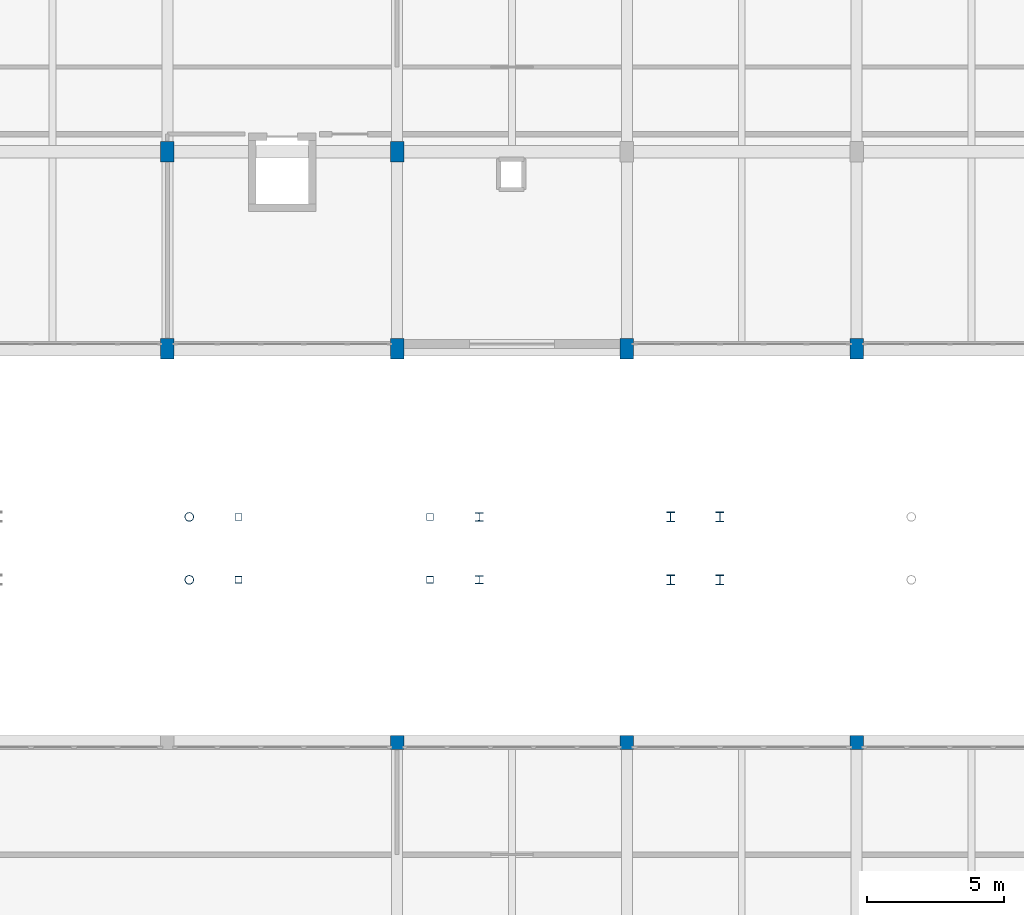
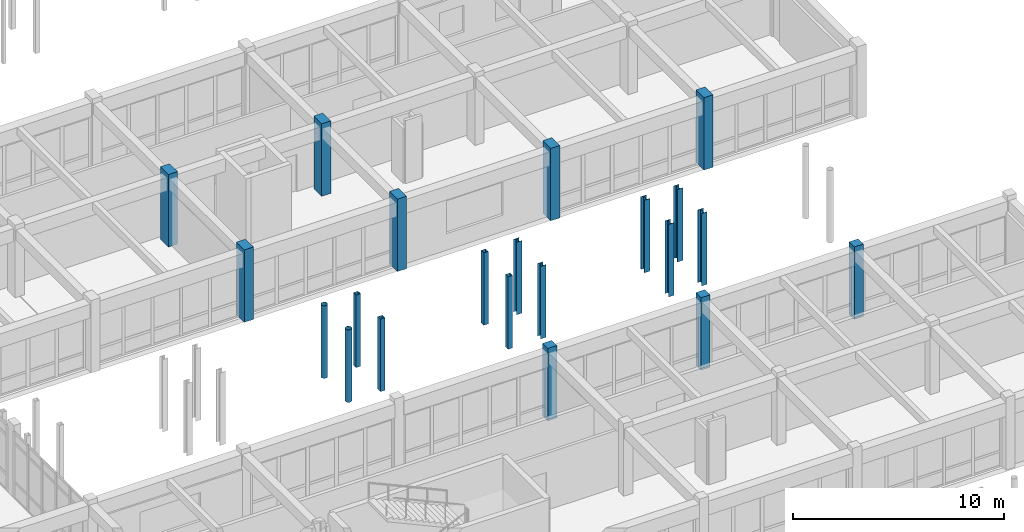
# One storey, part 21 of 147: 21 columns.
"""IFC4 building model written with IfcOpenShell, lengths in metres."""

from ifc_helpers import new_model, si_unit, direction, frame, origin, origin_2d, place, context, subcontext, project, spatial, rectangle, hollow_rectangle, hollow_circle, i_section, extrude, material, material_profile, profile_set, type_object, element, save


model = new_model("IFC4")

# Units and contexts
model_context = context("Model", 3, precision=1e-05, world=origin(), true_north=direction((0.0, 1.0)))
body_context = subcontext(model_context, "Body", "Model", "MODEL_VIEW")
ifc_project = project(units=[si_unit("LENGTHUNIT", "METRE"), si_unit("AREAUNIT", "SQUARE_METRE"), si_unit("VOLUMEUNIT", "CUBIC_METRE"), si_unit("PLANEANGLEUNIT", "RADIAN"), si_unit("MASSUNIT", "GRAM", prefix="KILO")], contexts=[model_context])

# Site, building, storey
site_placement = place(None, origin())
site = spatial("IfcSite", under=ifc_project, at=site_placement, CompositionType="ELEMENT")
building_placement = place(site_placement, origin())
building = spatial("IfcBuilding", under=site, at=building_placement, Name="Malvenik Polytechnic", CompositionType="ELEMENT")
storey_placement = place(building_placement, frame((0.0, 0.0, 5.10009765625)))
storey = spatial("IfcBuildingStorey", under=building, at=storey_placement, Name="L01", CompositionType="ELEMENT", Elevation=5.10009765625)

# Columns
ifc_material_1 = material(Name="Concrete C35/45", Category="concrete")
ifc_material_profile_1 = material_profile(ifc_material_1, rectangle(XDim=0.5, YDim=0.5, at=origin_2d()), Name="RC COL 500x500")
ifc_profile_set_1 = profile_set([ifc_material_profile_1], Name="Concrete C35/45")
column_type_1 = type_object("IfcColumnType", Name="STR-COL-C-08", PredefinedType="COLUMN", material=ifc_profile_set_1)
for number, where, z_axis, x_axis, name in (
    (1, (109.199951171875, 64.800048828125, 0.0), (0.0, 0.0, 1.0), (1.0, 0.0, 0.0), "Column C-08 L01 (109.2,64.8)"),
    (2, (117.60009765625, 64.800048828125, 0.0), (0.0, 0.0, 1.0), (1.0, 0.0, 0.0), "Column C-08 L01 (117.6,64.8)"),
    (3, (126.0, 64.800048828125, 0.0), (0.0, 0.0, 1.0), (1.0, 0.0, 0.0), "Column C-08 L01 (126.0,64.8)"),
):
    element("IfcColumn", number, at=place(storey_placement, frame(where, z_axis=z_axis, x_axis=x_axis)), inside=storey, type_object=column_type_1, Name=name, PredefinedType="COLUMN", context=body_context, shape_type="SweptSolid", body=[
        extrude(rectangle(XDim=0.5, YDim=0.5, at=origin_2d()), origin(), (0.0, 0.0, 1.0), 4.199951171875),
    ])
ifc_material_profile_2 = material_profile(ifc_material_1, rectangle(XDim=0.5, YDim=0.75, at=origin_2d()), Name="RC COL 750x500")
ifc_profile_set_2 = profile_set([ifc_material_profile_2], Name="Concrete C35/45")
column_type_2 = type_object("IfcColumnType", Name="STR-COL-C-14", PredefinedType="COLUMN", material=ifc_profile_set_2)
for number, where, z_axis, x_axis, name in (
    (4, (100.800048828125, 79.199951171875, 0.0), (0.0, 0.0, 1.0), (1.0, 0.0, 0.0), "Column C-14 L01 (100.8,79.2)"),
    (5, (100.800048828125, 86.39990234375, 0.0), (0.0, 0.0, 1.0), (1.0, 0.0, 0.0), "Column C-14 L01 (100.8,86.4)"),
    (6, (109.199951171875, 79.199951171875, 0.0), (0.0, 0.0, 1.0), (1.0, 0.0, 0.0), "Column C-14 L01 (109.2,79.2)"),
    (7, (109.199951171875, 86.39990234375, 0.0), (0.0, 0.0, 1.0), (1.0, 0.0, 0.0), "Column C-14 L01 (109.2,86.4)"),
    (8, (117.60009765625, 79.199951171875, 0.0), (0.0, 0.0, 1.0), (1.0, 0.0, 0.0), "Column C-14 L01 (117.6,79.2)"),
    (9, (126.0, 79.199951171875, 0.0), (0.0, 0.0, 1.0), (1.0, 0.0, 0.0), "Column C-14 L01 (126.0,79.2)"),
):
    element("IfcColumn", number, at=place(storey_placement, frame(where, z_axis=z_axis, x_axis=x_axis)), inside=storey, type_object=column_type_2, Name=name, PredefinedType="COLUMN", context=body_context, shape_type="SweptSolid", body=[
        extrude(rectangle(XDim=0.5, YDim=0.75, at=origin_2d()), origin(), (0.0, 0.0, 1.0), 4.199951171875),
    ])
ifc_material_2 = material(Name="Steel S355J2H", Category="steel")
ifc_material_profile_3 = material_profile(ifc_material_2, hollow_rectangle(XDim=0.25, YDim=0.25, WallThickness=0.010009765625, at=origin_2d()), Name="SHS 250x250x10.0")
ifc_profile_set_3 = profile_set([ifc_material_profile_3], Name="Steel S355J2H")
column_type_3 = type_object("IfcColumnType", Name="STR-SCOL-SC-01", PredefinedType="COLUMN", material=ifc_profile_set_3)
for number, where, z_axis, x_axis, name in (
    (10, (110.39990234375, 70.75, 0.0), (0.0, 0.0, 1.0), (1.0, 0.0, 0.0), "Bridge-Ramp Support Column SC-01 L01"),
    (11, (110.39990234375, 73.050048828125, 0.0), (0.0, 0.0, 1.0), (1.0, 0.0, 0.0), "Bridge-Ramp Support Column SC-01 L01"),
    (12, (103.39990234375, 70.75, 0.0), (0.0, 0.0, 1.0), (1.0, 0.0, 0.0), "Bridge-Ramp Support Column SC-01 L01"),
    (13, (103.39990234375, 73.050048828125, 0.0), (0.0, 0.0, 1.0), (1.0, 0.0, 0.0), "Bridge-Ramp Support Column SC-01 L01"),
):
    element("IfcColumn", number, at=place(storey_placement, frame(where, z_axis=z_axis, x_axis=x_axis)), inside=storey, type_object=column_type_3, Name=name, PredefinedType="COLUMN", context=body_context, shape_type="SweptSolid", body=[
        extrude(hollow_rectangle(XDim=0.25, YDim=0.25, WallThickness=0.010009765625, at=origin_2d()), origin(), (0.0, 0.0, 1.0), 4.199951171875),
    ])
ifc_material_3 = material(Name="Steel S355", Category="steel")
ifc_material_profile_4 = material_profile(ifc_material_3, i_section(OverallWidth=0.300048828125, OverallDepth=0.360107421875, WebThickness=0.012451171875, FlangeThickness=0.0224609375, FilletRadius=0.027099609375, at=origin_2d()), Name="HEB 360")
ifc_profile_set_4 = profile_set([ifc_material_profile_4], Name="Steel S355")
column_type_4 = type_object("IfcColumnType", Name="STR-SCOL-SC-03", PredefinedType="COLUMN", material=ifc_profile_set_4)
for number, where, z_axis, x_axis, name in (
    (14, (121.0, 70.75, 0.0), (0.0, 0.0, 1.0), (1.0, 0.0, 0.0), "Bridge-Ramp Support Column SC-03 L01"),
    (15, (121.0, 73.050048828125, 0.0), (0.0, 0.0, 1.0), (1.0, 0.0, 0.0), "Bridge-Ramp Support Column SC-03 L01"),
    (16, (119.199951171875, 70.75, 0.0), (0.0, 0.0, 1.0), (1.0, 0.0, 0.0), "Bridge-Ramp Support Column SC-03 L01"),
    (17, (119.199951171875, 73.050048828125, 0.0), (0.0, 0.0, 1.0), (1.0, 0.0, 0.0), "Bridge-Ramp Support Column SC-03 L01"),
):
    element("IfcColumn", number, at=place(storey_placement, frame(where, z_axis=z_axis, x_axis=x_axis)), inside=storey, type_object=column_type_4, Name=name, PredefinedType="COLUMN", context=body_context, shape_type="SweptSolid", body=[
        extrude(i_section(OverallWidth=0.300048828125, OverallDepth=0.360107421875, WebThickness=0.012451171875, FlangeThickness=0.0224609375, FilletRadius=0.027099609375, at=origin_2d()), origin(), (0.0, 0.0, 1.0), 4.199951171875),
    ])
ifc_material_profile_5 = material_profile(ifc_material_2, hollow_circle(Radius=0.161865234375, WallThickness=0.012451171875, at=origin_2d()), Name="CHS 323.9x12.5")
ifc_profile_set_5 = profile_set([ifc_material_profile_5], Name="Steel S355J2H")
column_type_5 = type_object("IfcColumnType", Name="STR-SCOL-SC-04", PredefinedType="COLUMN", material=ifc_profile_set_5)
for number, where, z_axis, x_axis, name in (
    (18, (101.60009765625, 70.75, 0.0), (0.0, 0.0, 1.0), (1.0, 0.0, 0.0), "Bridge-Ramp Support Column SC-04 L01"),
    (19, (101.60009765625, 73.050048828125, 0.0), (0.0, 0.0, 1.0), (1.0, 0.0, 0.0), "Bridge-Ramp Support Column SC-04 L01"),
):
    element("IfcColumn", number, at=place(storey_placement, frame(where, z_axis=z_axis, x_axis=x_axis)), inside=storey, type_object=column_type_5, Name=name, PredefinedType="COLUMN", context=body_context, shape_type="SweptSolid", body=[
        extrude(hollow_circle(Radius=0.161865234375, WallThickness=0.012451171875, at=origin_2d()), origin(), (0.0, 0.0, 1.0), 4.199951171875),
    ])
ifc_material_profile_6 = material_profile(ifc_material_3, i_section(OverallWidth=0.300048828125, OverallDepth=0.300048828125, WebThickness=0.010986328125, FlangeThickness=0.01904296875, FilletRadius=0.027099609375, at=origin_2d()), Name="HEB 300")
ifc_profile_set_6 = profile_set([ifc_material_profile_6], Name="Steel S355")
column_type_6 = type_object("IfcColumnType", Name="STR-SCOL-SC-05", PredefinedType="COLUMN", material=ifc_profile_set_6)
for number, where, z_axis, x_axis, name in (
    (20, (112.199951171875, 70.75, 0.0), (0.0, 0.0, 1.0), (1.0, 0.0, 0.0), "Bridge-Ramp Support Column SC-05 L01"),
    (21, (112.199951171875, 73.050048828125, 0.0), (0.0, 0.0, 1.0), (1.0, 0.0, 0.0), "Bridge-Ramp Support Column SC-05 L01"),
):
    element("IfcColumn", number, at=place(storey_placement, frame(where, z_axis=z_axis, x_axis=x_axis)), inside=storey, type_object=column_type_6, Name=name, PredefinedType="COLUMN", context=body_context, shape_type="SweptSolid", body=[
        extrude(i_section(OverallWidth=0.300048828125, OverallDepth=0.300048828125, WebThickness=0.010986328125, FlangeThickness=0.01904296875, FilletRadius=0.027099609375, at=origin_2d()), origin(), (0.0, 0.0, 1.0), 4.199951171875),
    ])

save(model, "model.ifc")
